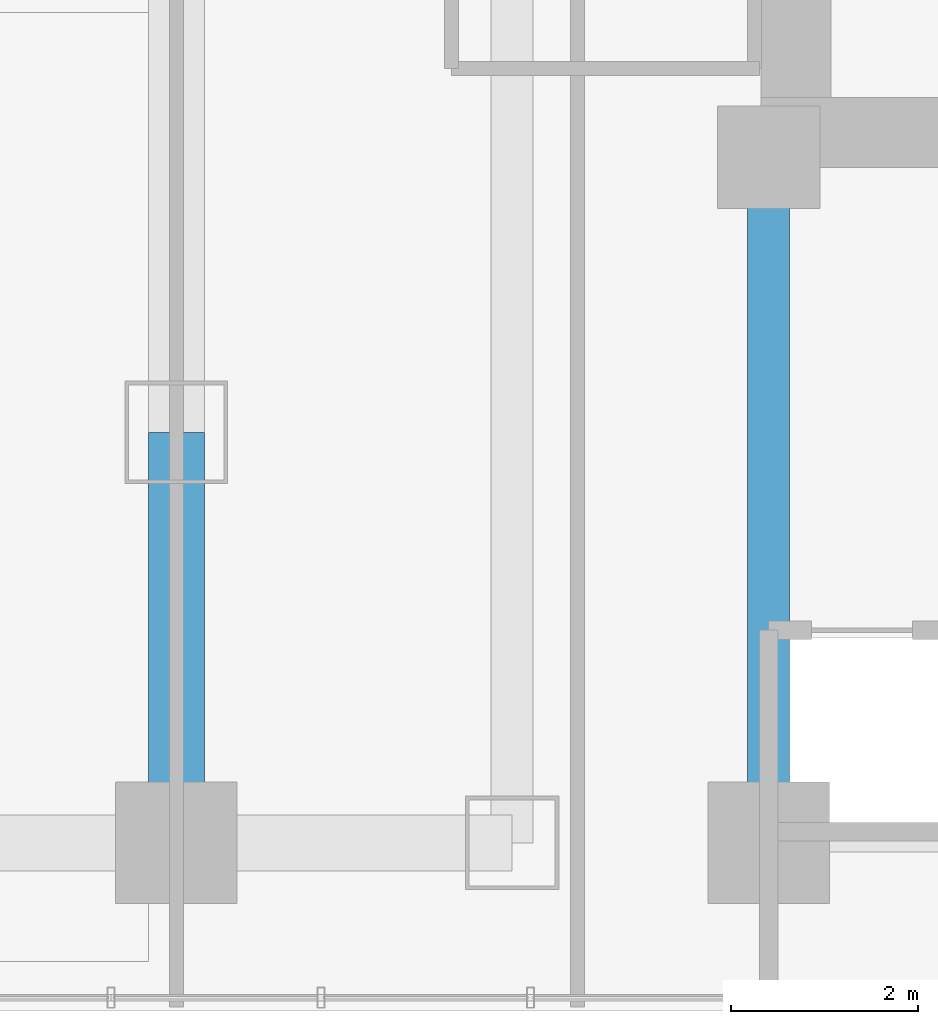
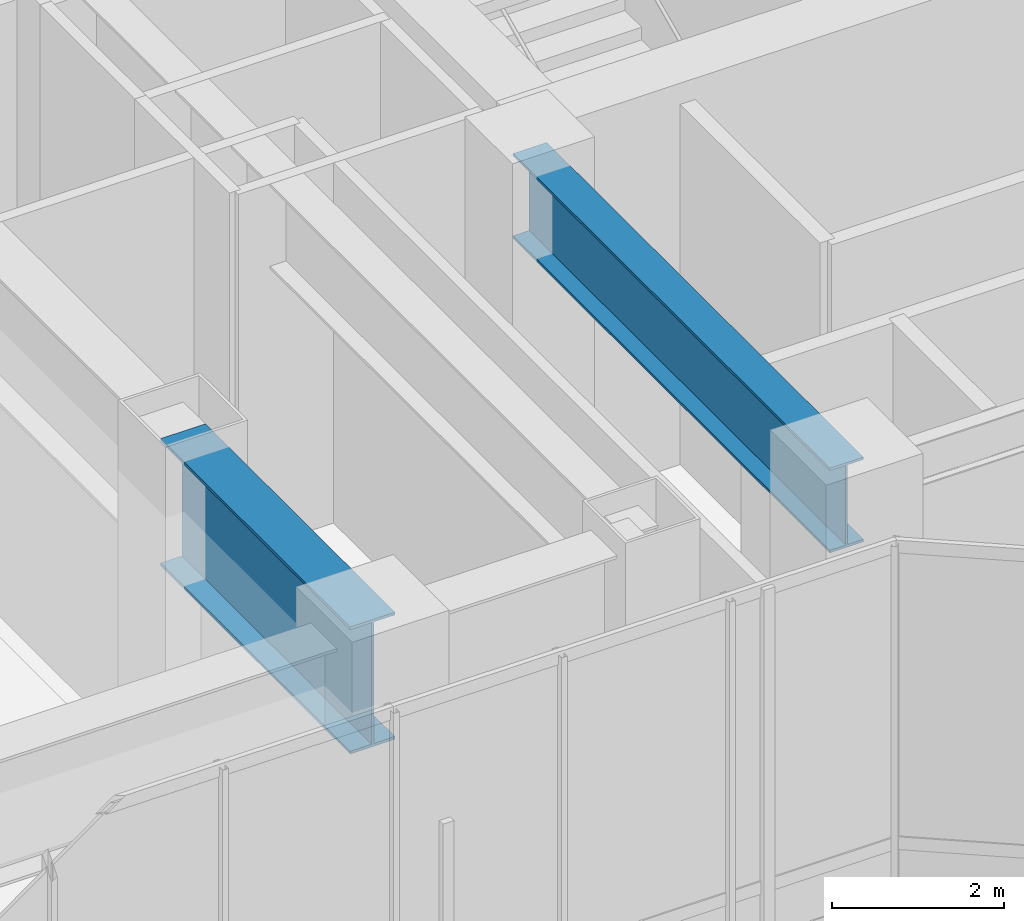
# One storey, part 5 of 38: 2 beams.
"""IFC4 building model written with IfcOpenShell, lengths in metres."""

import ifcopenshell
import ifcopenshell.guid

model = None  # the IFC model being written
_history = None  # IfcOwnerHistory: only IFC2X3 demands one
_inside = {}  # id of a spatial element -> (the spatial element, [elements in it])
_under = {}  # id of a project, library or spatial element -> (it, [spatial elements below it])
_declared = {}  # id of a project -> (the project, [libraries it declares])
_typed = {}  # id of a type object -> (the type object, [elements of that type])
_made_of = {}  # id of a material, layer set ... -> (it, [elements and type objects made of it])


def new_model(schema):
    """Start an empty IFC model of exactly this schema.

    Asked for "IFC4X3", IfcOpenShell would pick the latest addendum, in which some entities
    have other attributes; the version numbers below select the first issue.
    IFC2X3 requires an IfcOwnerHistory on every rooted entity: one is made here for all.
    """
    global model, _history
    if schema == "IFC4X3":
        model = ifcopenshell.file(schema_version=(4, 3, 0, 0))
    else:
        model = ifcopenshell.file(schema=schema)
    _inside.clear()
    _under.clear()
    _declared.clear()
    _typed.clear()
    _made_of.clear()
    _history = None
    if model.schema == "IFC2X3":
        org = make("IfcOrganization", Name="unknown")
        user = make(
            "IfcPersonAndOrganization",
            ThePerson=make("IfcPerson", FamilyName="unknown"),
            TheOrganization=org,
        )
        app = make(
            "IfcApplication",
            ApplicationDeveloper=org,
            Version="unknown",
            ApplicationFullName="unknown",
            ApplicationIdentifier="unknown",
        )
        _history = make(
            "IfcOwnerHistory",
            OwningUser=user,
            OwningApplication=app,
            ChangeAction="ADDED",
            CreationDate=0,
        )
    return model


def make(cls, **values):
    """One entity of the class cls with the attributes given. An attribute that is None is left unset."""
    return model.create_entity(
        cls, **{name: value for name, value in values.items() if value is not None}
    )


def rooted(cls, **values):
    """An entity with a GlobalId (a new one), such as an element, a storey or a relation."""
    return make(cls, GlobalId=ifcopenshell.guid.new(), OwnerHistory=_history, **values)


def si_unit(unit_type, name, prefix=None):
    """IfcSIUnit, for example si_unit("LENGTHUNIT", "METRE", prefix="MILLI")."""
    return make("IfcSIUnit", UnitType=unit_type, Prefix=prefix, Name=name)


def assignment(units):
    """IfcUnitAssignment: the units of a project."""
    return None if units is None else make("IfcUnitAssignment", Units=units)


def point(xyz):
    """IfcCartesianPoint."""
    return None if xyz is None else make("IfcCartesianPoint", Coordinates=xyz)


def direction(xyz):
    """IfcDirection."""
    return None if xyz is None else make("IfcDirection", DirectionRatios=xyz)


def frame(location, z_axis=None, x_axis=None):
    """IfcAxis2Placement3D, a coordinate frame: its origin and axes. An axis left out is left unset."""
    return make(
        "IfcAxis2Placement3D",
        Location=point(location),
        Axis=direction(z_axis),
        RefDirection=direction(x_axis),
    )


def frame_2d(location, x_axis=None):
    """IfcAxis2Placement2D, a coordinate frame in the plane: its origin and x axis."""
    return make(
        "IfcAxis2Placement2D", Location=point(location), RefDirection=direction(x_axis)
    )


def origin():
    """The frame at (0, 0, 0) with its axes left unset."""
    return frame((0.0, 0.0, 0.0))


def origin_2d():
    """The frame at (0, 0) in the plane with its x axis left unset."""
    return frame_2d((0.0, 0.0))


def place(relative_to, where):
    """IfcLocalPlacement: puts the frame where relative to a parent placement (None: the world)."""
    return make(
        "IfcLocalPlacement", PlacementRelTo=relative_to, RelativePlacement=where
    )


def context(
    kind, dimensions, precision=None, world=None, true_north=None, identifier=None
):
    """IfcGeometricRepresentationContext, for example the 3D "Model" context."""
    return make(
        "IfcGeometricRepresentationContext",
        ContextIdentifier=identifier,
        ContextType=kind,
        CoordinateSpaceDimension=dimensions,
        Precision=precision,
        WorldCoordinateSystem=world,
        TrueNorth=true_north,
    )


def subcontext(parent, identifier, kind, view, scale=None):
    """IfcGeometricRepresentationSubContext, for example "Body" below "Model"."""
    return make(
        "IfcGeometricRepresentationSubContext",
        ContextIdentifier=identifier,
        ContextType=kind,
        ParentContext=parent,
        TargetScale=scale,
        TargetView=view,
    )


def project(units=None, contexts=None):
    """IfcProject with its units and contexts."""
    return rooted(
        "IfcProject",
        Name="project",
        RepresentationContexts=contexts,
        UnitsInContext=assignment(units),
    )


def spatial(cls, under=None, at=None, **own):
    """A site, building, storey or space (cls), placed at a placement, below another one or the project."""
    s = rooted(cls, ObjectPlacement=at, **own)
    if under is not None:
        _under.setdefault(under.id(), (under, []))[1].append(s)
    return s


def profile(cls, at=None, kind="AREA", **sizes):
    """A parametric profile (cls). Its sizes go by their IFC names, for example OverallWidth=200.0."""
    return make(cls, ProfileType=kind, Position=at, **sizes)


def i_section(**sizes):
    """IfcIShapeProfileDef."""
    return profile("IfcIShapeProfileDef", **sizes)


def extrude(swept, where, along, depth):
    """IfcExtrudedAreaSolid: the profile swept, set in the frame where, extruded along a direction by depth."""
    return make(
        "IfcExtrudedAreaSolid",
        SweptArea=swept,
        Position=where,
        ExtrudedDirection=direction(along),
        Depth=depth,
    )


def shape(context_of_items, identifier, shape_type, items):
    """IfcShapeRepresentation: the items that make up one representation, for example the "Body"."""
    return make(
        "IfcShapeRepresentation",
        ContextOfItems=context_of_items,
        RepresentationIdentifier=identifier,
        RepresentationType=shape_type,
        Items=items,
    )


def material(Name=None, Category=None):
    """IfcMaterial."""
    return make("IfcMaterial", Name=Name, Category=Category)


def material_profile(
    of_material, cross_section, Name=None, Category=None, Priority=None
):
    """IfcMaterialProfile: a cross section and its material."""
    return make(
        "IfcMaterialProfile",
        Name=Name,
        Material=of_material,
        Profile=cross_section,
        Priority=Priority,
        Category=Category,
    )


def profile_set(profiles, Name=None, composite=None):
    """IfcMaterialProfileSet."""
    return make(
        "IfcMaterialProfileSet",
        Name=Name,
        MaterialProfiles=profiles,
        CompositeProfile=composite,
    )


def made_of(thing, what):
    """Note that an element or type object is made of a material, layer set ...; save() writes the relation."""
    if what is not None:
        _made_of.setdefault(what.id(), (what, []))[1].append(thing)
    return thing


def type_object(cls, material=None, **own):
    """A type object (cls), such as IfcWallType, which elements share."""
    return made_of(rooted(cls, **own), material)


def element(
    cls,
    number,
    at=None,
    inside=None,
    cuts=None,
    type_object=None,
    material=None,
    context=None,
    identifier="Body",
    shape_type=None,
    held_by="IfcProductDefinitionShape",
    body=None,
    shapes=None,
    **own,
):
    """One element of the class cls, such as IfcWall. Its Tag is "e" and its number.

    at: its placement. inside: the storey or other place that contains it. cuts: it is an
    opening in that element (IfcRelVoidsElement). A single representation is given by context,
    identifier, shape_type and body (its items); several are given by shapes. held_by: the class
    of the entity that holds the representations. save() writes the other relations.
    """
    e = rooted(cls, Tag="e%d" % number, ObjectPlacement=at, **own)
    if body is not None:
        shapes = [shape(context, identifier, shape_type, body)]
    if shapes is not None:
        e.Representation = make(held_by, Representations=shapes)
    if inside is not None:
        _inside.setdefault(inside.id(), (inside, []))[1].append(e)
    if cuts is not None:
        rooted(
            "IfcRelVoidsElement", RelatingBuildingElement=cuts, RelatedOpeningElement=e
        )
    if type_object is not None:
        _typed.setdefault(type_object.id(), (type_object, []))[1].append(e)
    return made_of(e, material)


def aggregate(whole, parts):
    """IfcRelAggregates: a whole, such as a stair, and the parts it consists of."""
    return rooted("IfcRelAggregates", RelatingObject=whole, RelatedObjects=parts)


def save(model, path):
    """Write the relations noted so far, then the file.

    IfcRelAggregates (storeys below a building ...), IfcRelContainedInSpatialStructure (elements
    in a storey), IfcRelDefinesByType, IfcRelAssociatesMaterial and IfcRelDeclares: one each for
    every whole, place, type object, material and project.
    """
    for whole, parts in _under.values():
        aggregate(whole, parts)
    for where, things in _inside.values():
        rooted(
            "IfcRelContainedInSpatialStructure",
            RelatedElements=things,
            RelatingStructure=where,
        )
    for kind, things in _typed.values():
        rooted("IfcRelDefinesByType", RelatedObjects=things, RelatingType=kind)
    for what, things in _made_of.values():
        rooted("IfcRelAssociatesMaterial", RelatedObjects=things, RelatingMaterial=what)
    for by, libraries in _declared.values():
        rooted("IfcRelDeclares", RelatingContext=by, RelatedDefinitions=libraries)
    model.write(path)


model = new_model("IFC4")

# Units and contexts
model_context = context("Model", 3, precision=1e-05, world=origin(), true_north=direction((0.0, 1.0)))
body_context = subcontext(model_context, "Body", "Model", "MODEL_VIEW")
ifc_project = project(units=[si_unit("LENGTHUNIT", "METRE"), si_unit("AREAUNIT", "SQUARE_METRE"), si_unit("VOLUMEUNIT", "CUBIC_METRE"), si_unit("PLANEANGLEUNIT", "RADIAN"), si_unit("MASSUNIT", "GRAM", prefix="KILO")], contexts=[model_context])

# Site, building, storey
site_placement = place(None, origin())
site = spatial("IfcSite", under=ifc_project, at=site_placement, CompositionType="ELEMENT")
building_placement = place(site_placement, origin())
building = spatial("IfcBuilding", under=site, at=building_placement, Name="Hatsunagi Terrace Concourse", CompositionType="ELEMENT")
storey_placement = place(building_placement, frame((0.0, 0.0, 21.60009765625)))
storey = spatial("IfcBuildingStorey", under=building, at=storey_placement, Name="L05", CompositionType="ELEMENT", Elevation=21.60009765625)

# Beams
ifc_material_1 = material(Name="Steel SN490B", Category="steel")
ifc_material_profile_1 = material_profile(ifc_material_1, i_section(OverallWidth=0.449951171875, OverallDepth=1.199951171875, WebThickness=0.02490234375, FlangeThickness=0.035888671875, at=origin_2d()), Name="BH-1200x450x25x36")
ifc_profile_set_1 = profile_set([ifc_material_profile_1], Name="Steel SN490B")
beam_type_1 = type_object("IfcBeamType", Name="PodiumHallGirder_BH_1200x450x25x36", PredefinedType="BEAM", material=ifc_profile_set_1)
beam_1_placement = place(storey_placement, frame((25.550048828125, 25.199951171875, 4.5), z_axis=(0.0, 1.0, 0.0), x_axis=(-1.0, 0.0, 0.0)))
element("IfcBeam", 1, at=beam_1_placement, inside=storey, type_object=beam_type_1, Name="Beam G-01 BM-L05-K1CA", PredefinedType="BEAM", context=body_context, shape_type="SweptSolid", body=[
    extrude(i_section(OverallWidth=0.449951171875, OverallDepth=1.199951171875, WebThickness=0.02490234375, FlangeThickness=0.035888671875, at=origin_2d()), origin(), (0.0, 0.0, 1.0), 7.35009765625),
])
ifc_material_2 = material(Name="Steel SN490C", Category="steel")
ifc_material_profile_2 = material_profile(ifc_material_2, i_section(OverallWidth=0.60009765625, OverallDepth=1.800048828125, WebThickness=0.031982421875, FlangeThickness=0.0400390625, at=origin_2d()), Name="BH-1800x600x32x40")
ifc_profile_set_2 = profile_set([ifc_material_profile_2], Name="Steel SN490C")
beam_type_2 = type_object("IfcBeamType", Name="TransferGirder_BH_1800x600x32x40", PredefinedType="USERDEFINED", material=ifc_profile_set_2)
beam_2_placement = place(storey_placement, frame((19.199951171875, 25.199951171875, 4.199951171875), z_axis=(0.0, 1.0, 0.0), x_axis=(-1.0, 0.0, 0.0)))
element("IfcBeam", 2, at=beam_2_placement, inside=storey, type_object=beam_type_2, Name="Transfer girder TG-01 TG-L05-19A", ObjectType="TRANSFER_GIRDER", PredefinedType="USERDEFINED", context=body_context, shape_type="SweptSolid", body=[
    extrude(i_section(OverallWidth=0.60009765625, OverallDepth=1.800048828125, WebThickness=0.031982421875, FlangeThickness=0.0400390625, at=origin_2d()), origin(), (0.0, 0.0, 1.0), 4.400146484375),
])

save(model, "model.ifc")
